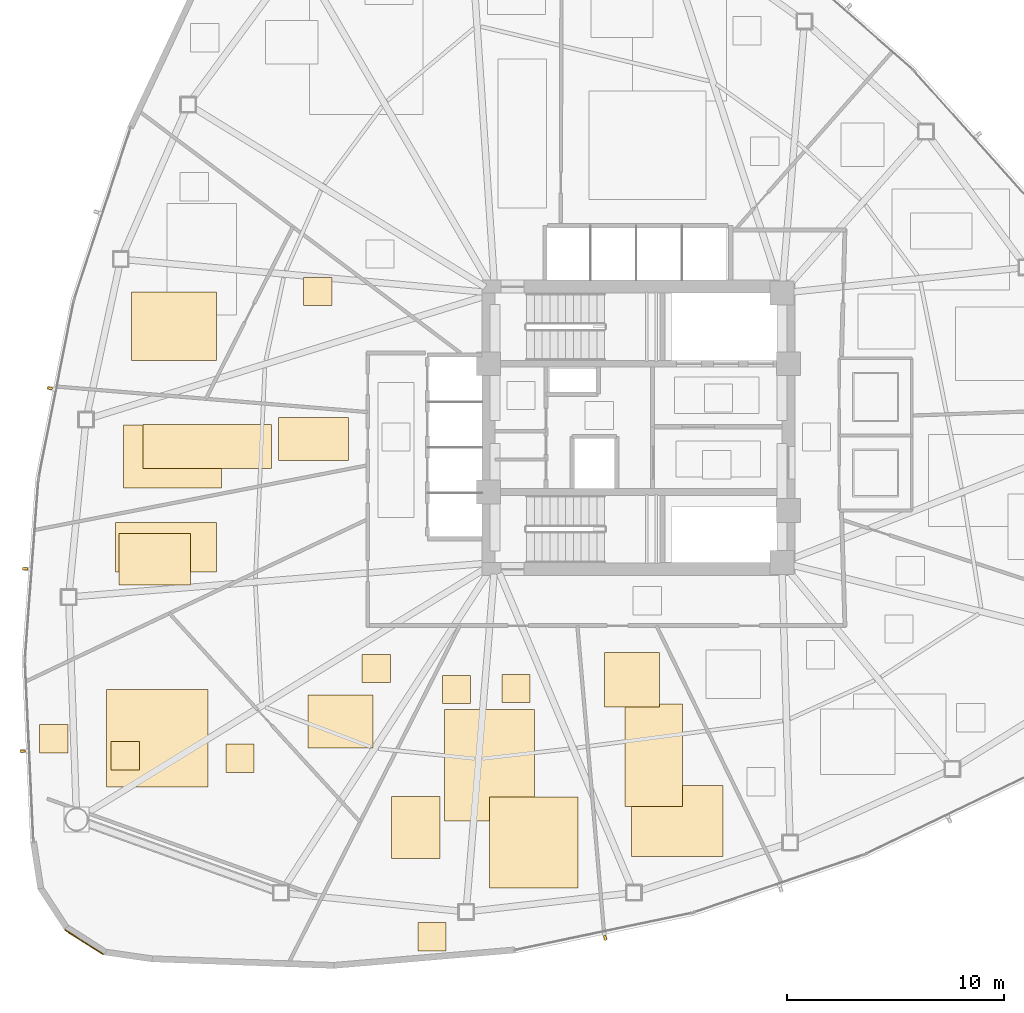
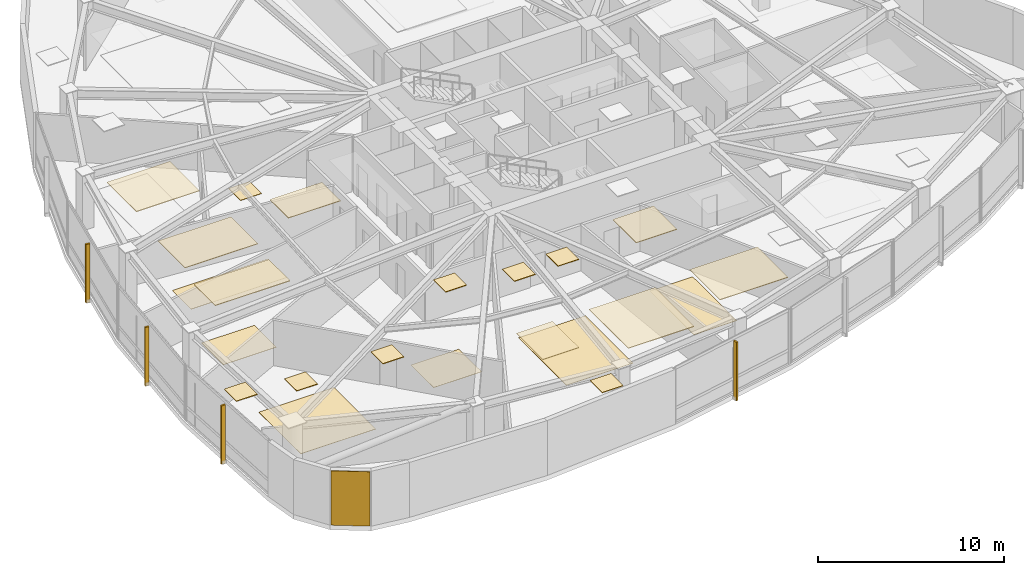
# One storey, part 14 of 17: 23 coverings, 4 shading devices.
"""IFC4 building model written with IfcOpenShell, lengths in metres."""

import ifcopenshell
import ifcopenshell.guid

model = None  # the IFC model being written
_history = None  # IfcOwnerHistory: only IFC2X3 demands one
_inside = {}  # id of a spatial element -> (the spatial element, [elements in it])
_under = {}  # id of a project, library or spatial element -> (it, [spatial elements below it])
_declared = {}  # id of a project -> (the project, [libraries it declares])
_typed = {}  # id of a type object -> (the type object, [elements of that type])
_made_of = {}  # id of a material, layer set ... -> (it, [elements and type objects made of it])


def new_model(schema):
    """Start an empty IFC model of exactly this schema.

    Asked for "IFC4X3", IfcOpenShell would pick the latest addendum, in which some entities
    have other attributes; the version numbers below select the first issue.
    IFC2X3 requires an IfcOwnerHistory on every rooted entity: one is made here for all.
    """
    global model, _history
    if schema == "IFC4X3":
        model = ifcopenshell.file(schema_version=(4, 3, 0, 0))
    else:
        model = ifcopenshell.file(schema=schema)
    _inside.clear()
    _under.clear()
    _declared.clear()
    _typed.clear()
    _made_of.clear()
    _history = None
    if model.schema == "IFC2X3":
        org = make("IfcOrganization", Name="unknown")
        user = make(
            "IfcPersonAndOrganization",
            ThePerson=make("IfcPerson", FamilyName="unknown"),
            TheOrganization=org,
        )
        app = make(
            "IfcApplication",
            ApplicationDeveloper=org,
            Version="unknown",
            ApplicationFullName="unknown",
            ApplicationIdentifier="unknown",
        )
        _history = make(
            "IfcOwnerHistory",
            OwningUser=user,
            OwningApplication=app,
            ChangeAction="ADDED",
            CreationDate=0,
        )
    return model


def make(cls, **values):
    """One entity of the class cls with the attributes given. An attribute that is None is left unset."""
    return model.create_entity(
        cls, **{name: value for name, value in values.items() if value is not None}
    )


def rooted(cls, **values):
    """An entity with a GlobalId (a new one), such as an element, a storey or a relation."""
    return make(cls, GlobalId=ifcopenshell.guid.new(), OwnerHistory=_history, **values)


def si_unit(unit_type, name, prefix=None):
    """IfcSIUnit, for example si_unit("LENGTHUNIT", "METRE", prefix="MILLI")."""
    return make("IfcSIUnit", UnitType=unit_type, Prefix=prefix, Name=name)


def assignment(units):
    """IfcUnitAssignment: the units of a project."""
    return None if units is None else make("IfcUnitAssignment", Units=units)


def point(xyz):
    """IfcCartesianPoint."""
    return None if xyz is None else make("IfcCartesianPoint", Coordinates=xyz)


def direction(xyz):
    """IfcDirection."""
    return None if xyz is None else make("IfcDirection", DirectionRatios=xyz)


def frame(location, z_axis=None, x_axis=None):
    """IfcAxis2Placement3D, a coordinate frame: its origin and axes. An axis left out is left unset."""
    return make(
        "IfcAxis2Placement3D",
        Location=point(location),
        Axis=direction(z_axis),
        RefDirection=direction(x_axis),
    )


def frame_2d(location, x_axis=None):
    """IfcAxis2Placement2D, a coordinate frame in the plane: its origin and x axis."""
    return make(
        "IfcAxis2Placement2D", Location=point(location), RefDirection=direction(x_axis)
    )


def origin():
    """The frame at (0, 0, 0) with its axes left unset."""
    return frame((0.0, 0.0, 0.0))


def origin_2d():
    """The frame at (0, 0) in the plane with its x axis left unset."""
    return frame_2d((0.0, 0.0))


def place(relative_to, where):
    """IfcLocalPlacement: puts the frame where relative to a parent placement (None: the world)."""
    return make(
        "IfcLocalPlacement", PlacementRelTo=relative_to, RelativePlacement=where
    )


def context(
    kind, dimensions, precision=None, world=None, true_north=None, identifier=None
):
    """IfcGeometricRepresentationContext, for example the 3D "Model" context."""
    return make(
        "IfcGeometricRepresentationContext",
        ContextIdentifier=identifier,
        ContextType=kind,
        CoordinateSpaceDimension=dimensions,
        Precision=precision,
        WorldCoordinateSystem=world,
        TrueNorth=true_north,
    )


def subcontext(parent, identifier, kind, view, scale=None):
    """IfcGeometricRepresentationSubContext, for example "Body" below "Model"."""
    return make(
        "IfcGeometricRepresentationSubContext",
        ContextIdentifier=identifier,
        ContextType=kind,
        ParentContext=parent,
        TargetScale=scale,
        TargetView=view,
    )


def project(units=None, contexts=None):
    """IfcProject with its units and contexts."""
    return rooted(
        "IfcProject",
        Name="project",
        RepresentationContexts=contexts,
        UnitsInContext=assignment(units),
    )


def spatial(cls, under=None, at=None, **own):
    """A site, building, storey or space (cls), placed at a placement, below another one or the project."""
    s = rooted(cls, ObjectPlacement=at, **own)
    if under is not None:
        _under.setdefault(under.id(), (under, []))[1].append(s)
    return s


def polyline(points):
    """IfcPolyline through the points."""
    return make("IfcPolyline", Points=[point(p) for p in points])


def profile(cls, at=None, kind="AREA", **sizes):
    """A parametric profile (cls). Its sizes go by their IFC names, for example OverallWidth=200.0."""
    return make(cls, ProfileType=kind, Position=at, **sizes)


def rectangle(**sizes):
    """IfcRectangleProfileDef."""
    return profile("IfcRectangleProfileDef", **sizes)


def outline(outer, holes=None, kind="AREA"):
    """IfcArbitraryClosedProfileDef: a profile drawn as a closed curve; with holes, ...WithVoids."""
    if holes is None:
        return make("IfcArbitraryClosedProfileDef", ProfileType=kind, OuterCurve=outer)
    return make(
        "IfcArbitraryProfileDefWithVoids",
        ProfileType=kind,
        OuterCurve=outer,
        InnerCurves=holes,
    )


def extrude(swept, where, along, depth):
    """IfcExtrudedAreaSolid: the profile swept, set in the frame where, extruded along a direction by depth."""
    return make(
        "IfcExtrudedAreaSolid",
        SweptArea=swept,
        Position=where,
        ExtrudedDirection=direction(along),
        Depth=depth,
    )


def shape(context_of_items, identifier, shape_type, items):
    """IfcShapeRepresentation: the items that make up one representation, for example the "Body"."""
    return make(
        "IfcShapeRepresentation",
        ContextOfItems=context_of_items,
        RepresentationIdentifier=identifier,
        RepresentationType=shape_type,
        Items=items,
    )


def source(mapping_origin, context_of_items, identifier, shape_type, items):
    """IfcRepresentationMap: a shape defined once, which mapped items show again and again."""
    return make(
        "IfcRepresentationMap",
        MappingOrigin=mapping_origin,
        MappedRepresentation=shape(context_of_items, identifier, shape_type, items),
    )


def transform(
    local_origin,
    x_axis=None,
    y_axis=None,
    z_axis=None,
    scale=None,
    scale2=None,
    scale3=None,
    uniform=True,
):
    """IfcCartesianTransformationOperator3D, or its non-uniform kind. x_axis, y_axis, z_axis: its Axis1, 2, 3."""
    if uniform:
        return make(
            "IfcCartesianTransformationOperator3D",
            Axis1=direction(x_axis),
            Axis2=direction(y_axis),
            LocalOrigin=point(local_origin),
            Scale=scale,
            Axis3=direction(z_axis),
        )
    return make(
        "IfcCartesianTransformationOperator3DnonUniform",
        Axis1=direction(x_axis),
        Axis2=direction(y_axis),
        LocalOrigin=point(local_origin),
        Scale=scale,
        Axis3=direction(z_axis),
        Scale2=scale2,
        Scale3=scale3,
    )


def mapped(mapping_source, mapping_target):
    """IfcMappedItem: shows the shape of a source again, moved by a transform."""
    return make(
        "IfcMappedItem", MappingSource=mapping_source, MappingTarget=mapping_target
    )


def material(Name=None, Category=None):
    """IfcMaterial."""
    return make("IfcMaterial", Name=Name, Category=Category)


def layer(
    of_material, thickness, ventilated=None, Name=None, Category=None, Priority=None
):
    """IfcMaterialLayer: one layer of a wall or slab, of a material (None: an air gap)."""
    return make(
        "IfcMaterialLayer",
        Material=of_material,
        LayerThickness=thickness,
        IsVentilated=ventilated,
        Name=Name,
        Category=Category,
        Priority=Priority,
    )


def layer_set(layers, Name=None):
    """IfcMaterialLayerSet."""
    return make("IfcMaterialLayerSet", MaterialLayers=layers, LayerSetName=Name)


def made_of(thing, what):
    """Note that an element or type object is made of a material, layer set ...; save() writes the relation."""
    if what is not None:
        _made_of.setdefault(what.id(), (what, []))[1].append(thing)
    return thing


def type_object(cls, material=None, **own):
    """A type object (cls), such as IfcWallType, which elements share."""
    return made_of(rooted(cls, **own), material)


def type_shapes(of_type, sources):
    """Give a type object the sources (RepresentationMaps) that its elements show as mapped items."""
    of_type.RepresentationMaps = sources


def element(
    cls,
    number,
    at=None,
    inside=None,
    cuts=None,
    type_object=None,
    material=None,
    context=None,
    identifier="Body",
    shape_type=None,
    held_by="IfcProductDefinitionShape",
    body=None,
    shapes=None,
    **own,
):
    """One element of the class cls, such as IfcWall. Its Tag is "e" and its number.

    at: its placement. inside: the storey or other place that contains it. cuts: it is an
    opening in that element (IfcRelVoidsElement). A single representation is given by context,
    identifier, shape_type and body (its items); several are given by shapes. held_by: the class
    of the entity that holds the representations. save() writes the other relations.
    """
    e = rooted(cls, Tag="e%d" % number, ObjectPlacement=at, **own)
    if body is not None:
        shapes = [shape(context, identifier, shape_type, body)]
    if shapes is not None:
        e.Representation = make(held_by, Representations=shapes)
    if inside is not None:
        _inside.setdefault(inside.id(), (inside, []))[1].append(e)
    if cuts is not None:
        rooted(
            "IfcRelVoidsElement", RelatingBuildingElement=cuts, RelatedOpeningElement=e
        )
    if type_object is not None:
        _typed.setdefault(type_object.id(), (type_object, []))[1].append(e)
    return made_of(e, material)


def aggregate(whole, parts):
    """IfcRelAggregates: a whole, such as a stair, and the parts it consists of."""
    return rooted("IfcRelAggregates", RelatingObject=whole, RelatedObjects=parts)


def save(model, path):
    """Write the relations noted so far, then the file.

    IfcRelAggregates (storeys below a building ...), IfcRelContainedInSpatialStructure (elements
    in a storey), IfcRelDefinesByType, IfcRelAssociatesMaterial and IfcRelDeclares: one each for
    every whole, place, type object, material and project.
    """
    for whole, parts in _under.values():
        aggregate(whole, parts)
    for where, things in _inside.values():
        rooted(
            "IfcRelContainedInSpatialStructure",
            RelatedElements=things,
            RelatingStructure=where,
        )
    for kind, things in _typed.values():
        rooted("IfcRelDefinesByType", RelatedObjects=things, RelatingType=kind)
    for what, things in _made_of.values():
        rooted("IfcRelAssociatesMaterial", RelatedObjects=things, RelatingMaterial=what)
    for by, libraries in _declared.values():
        rooted("IfcRelDeclares", RelatingContext=by, RelatedDefinitions=libraries)
    model.write(path)


model = new_model("IFC4")

# Units and contexts
model_context = context("Model", 3, precision=1e-05, world=origin(), true_north=direction((0.0, 1.0)))
body_context = subcontext(model_context, "Body", "Model", "MODEL_VIEW")
ifc_project = project(units=[si_unit("LENGTHUNIT", "METRE"), si_unit("AREAUNIT", "SQUARE_METRE"), si_unit("VOLUMEUNIT", "CUBIC_METRE"), si_unit("PLANEANGLEUNIT", "RADIAN"), si_unit("MASSUNIT", "GRAM", prefix="KILO")], contexts=[model_context])

# Site, building, storey
site_placement = place(None, origin())
site = spatial("IfcSite", under=ifc_project, at=site_placement, CompositionType="ELEMENT")
building_placement = place(site_placement, origin())
building = spatial("IfcBuilding", under=site, at=building_placement, Name="Tavelor Broadcast Tower", CompositionType="ELEMENT")
storey_placement = place(building_placement, frame((0.0, 0.0, 90.0)))
storey = spatial("IfcBuildingStorey", under=building, at=storey_placement, Name="L21", CompositionType="ELEMENT", Elevation=90.0)

# Coverings
ifc_material_1 = material(Name="Copper-Bronze Anodized Aluminium", Category="aluminium")
ifc_layer_1 = layer(ifc_material_1, 0.050048828125)
ifc_layer_set_1 = layer_set([ifc_layer_1], Name="Copper-Bronze Anodized Aluminium")
covering_type_1 = type_object("IfcCoveringType", Name="Champagne-Bronze Corner Pier Metal Cladding 50 mm", PredefinedType="CLADDING", material=ifc_layer_set_1)
covering_1_placement = place(storey_placement, frame((24.502685546875, 21.34228515625, 0.02001953125), z_axis=(0.0, 0.0, 1.0), x_axis=(0.842922242371, -0.538035401546, 0.0)))
element("IfcCovering", 1, at=covering_1_placement, inside=storey, type_object=covering_type_1, Name="L21 Champagne-Bronze Corner Cladding 13", PredefinedType="CLADDING", context=body_context, shape_type="SweptSolid", body=[
    extrude(rectangle(XDim=2.101806640625, YDim=0.050048828125, at=origin_2d()), origin(), (0.0, 0.0, 1.0), 3.56005859375),
])
ifc_material_2 = material(Name="Acoustic Nylon Carpet Tile")
ifc_layer_2 = layer(ifc_material_2, 0.02001953125)
ifc_layer_set_2 = layer_set([ifc_layer_2], Name="Acoustic Nylon Carpet Tile")
covering_type_2 = type_object("IfcCoveringType", Name="Heavy-Duty Acoustic Broadcast Carpet Tile 20 mm", PredefinedType="FLOORING", material=ifc_layer_set_2)
covering_2_placement = place(storey_placement, origin())
element("IfcCovering", 2, at=covering_2_placement, inside=storey, type_object=covering_type_2, Name="L21 Broadcast Floor Finish 0312", PredefinedType="FLOORING", context=body_context, shape_type="SweptSolid", body=[
    extrude(outline(polyline([(49.372802734375, 27.57666015625), (52.030517578125, 27.57666015625), (52.030517578125, 32.306884765625), (49.372802734375, 32.306884765625), (49.372802734375, 27.57666015625)])), origin(), (0.0, 0.0, 1.0), 0.02001953125),
])
covering_3_placement = place(storey_placement, origin())
element("IfcCovering", 3, at=covering_3_placement, inside=storey, type_object=covering_type_2, Name="L21 Broadcast Floor Finish 0313", PredefinedType="FLOORING", context=body_context, shape_type="SweptSolid", body=[
    extrude(outline(polyline([(41.089599609375, 26.91064453125), (45.22265625, 26.91064453125), (45.22265625, 32.034912109375), (41.089599609375, 32.034912109375), (41.089599609375, 26.91064453125)])), origin(), (0.0, 0.0, 1.0), 0.02001953125),
])
covering_4_placement = place(storey_placement, origin())
element("IfcCovering", 4, at=covering_4_placement, inside=storey, type_object=covering_type_2, Name="L21 Broadcast Floor Finish 0314", PredefinedType="FLOORING", context=body_context, shape_type="SweptSolid", body=[
    extrude(outline(polyline([(25.541015625, 28.477783203125), (30.191650390625, 28.477783203125), (30.191650390625, 32.976318359375), (25.541015625, 32.976318359375), (25.541015625, 28.477783203125)])), origin(), (0.0, 0.0, 1.0), 0.02001953125),
])
covering_5_placement = place(storey_placement, origin())
element("IfcCovering", 5, at=covering_5_placement, inside=storey, type_object=covering_type_2, Name="L21 Broadcast Floor Finish 0315", PredefinedType="FLOORING", context=body_context, shape_type="SweptSolid", body=[
    extrude(outline(polyline([(26.111328125, 37.77197265625), (29.38916015625, 37.77197265625), (29.38916015625, 40.135498046875), (26.111328125, 40.135498046875), (26.111328125, 37.77197265625)])), origin(), (0.0, 0.0, 1.0), 0.02001953125),
])
covering_6_placement = place(storey_placement, origin())
element("IfcCovering", 6, at=covering_6_placement, inside=storey, type_object=covering_type_2, Name="L21 Broadcast Floor Finish 0316", PredefinedType="FLOORING", context=body_context, shape_type="SweptSolid", body=[
    extrude(outline(polyline([(27.20751953125, 43.130859375), (33.132080078125, 43.130859375), (33.132080078125, 45.156982421875), (27.20751953125, 45.156982421875), (27.20751953125, 43.130859375)])), origin(), (0.0, 0.0, 1.0), 0.02001953125),
])
covering_7_placement = place(storey_placement, origin())
element("IfcCovering", 7, at=covering_7_placement, inside=storey, type_object=covering_type_2, Name="L21 Broadcast Floor Finish 0322", PredefinedType="FLOORING", context=body_context, shape_type="SweptSolid", body=[
    extrude(outline(polyline([(34.597412109375, 50.62109375), (35.8974609375, 50.62109375), (35.8974609375, 51.921142578125), (34.597412109375, 51.921142578125), (34.597412109375, 50.62109375)])), origin(), (0.0, 0.0, 1.0), 0.02001953125),
])
covering_8_placement = place(storey_placement, origin())
element("IfcCovering", 8, at=covering_8_placement, inside=storey, type_object=covering_type_2, Name="L21 Broadcast Floor Finish 0323", PredefinedType="FLOORING", context=body_context, shape_type="SweptSolid", body=[
    extrude(outline(polyline([(34.80712890625, 30.277099609375), (37.78564453125, 30.277099609375), (37.78564453125, 32.72119140625), (34.80712890625, 32.72119140625), (34.80712890625, 30.277099609375)])), origin(), (0.0, 0.0, 1.0), 0.02001953125),
])
ifc_material_3 = material(Name="Acoustic Mineral Fibre Tile")
ifc_layer_3 = layer(ifc_material_3, 0.0400390625)
ifc_layer_set_3 = layer_set([ifc_layer_3], Name="Acoustic Mineral Fibre Tile")
covering_type_3 = type_object("IfcCoveringType", Name="Suspended Acoustic Mineral-Fibre Office Ceiling 40 mm", PredefinedType="CEILING", material=ifc_layer_set_3)
covering_9_placement = place(storey_placement, frame((0.0, 0.0, 3.56005859375)))
element("IfcCovering", 9, at=covering_9_placement, inside=storey, type_object=covering_type_3, Name="L21 Suspended Acoustic Ceiling 0890", PredefinedType="CEILING", context=body_context, shape_type="SweptSolid", body=[
    extrude(outline(polyline([(48.44482421875, 32.15869140625), (50.975830078125, 32.15869140625), (50.975830078125, 34.66748046875), (48.44482421875, 34.66748046875), (48.44482421875, 32.15869140625)])), origin(), (0.0, 0.0, 1.0), 0.0400390625),
])
covering_10_placement = place(storey_placement, frame((0.0, 0.0, 3.56005859375)))
element("IfcCovering", 10, at=covering_10_placement, inside=storey, type_object=covering_type_3, Name="L21 Suspended Acoustic Ceiling 0891", PredefinedType="CEILING", context=body_context, shape_type="SweptSolid", body=[
    extrude(outline(polyline([(49.673583984375, 25.293701171875), (53.88427734375, 25.293701171875), (53.88427734375, 28.553466796875), (49.673583984375, 28.553466796875), (49.673583984375, 25.293701171875)])), origin(), (0.0, 0.0, 1.0), 0.0400390625),
])
covering_11_placement = place(storey_placement, frame((0.0, 0.0, 3.56005859375)))
element("IfcCovering", 11, at=covering_11_placement, inside=storey, type_object=covering_type_3, Name="L21 Suspended Acoustic Ceiling 0892", PredefinedType="CEILING", context=body_context, shape_type="SweptSolid", body=[
    extrude(outline(polyline([(39.85400390625, 20.93701171875), (41.154052734375, 20.93701171875), (41.154052734375, 22.237060546875), (39.85400390625, 22.237060546875), (39.85400390625, 20.93701171875)])), origin(), (0.0, 0.0, 1.0), 0.0400390625),
])
covering_12_placement = place(storey_placement, frame((0.0, 0.0, 3.56005859375)))
element("IfcCovering", 12, at=covering_12_placement, inside=storey, type_object=covering_type_3, Name="L21 Suspended Acoustic Ceiling 0893", PredefinedType="CEILING", context=body_context, shape_type="SweptSolid", body=[
    extrude(outline(polyline([(38.637451171875, 25.200927734375), (40.88232421875, 25.200927734375), (40.88232421875, 28.0341796875), (38.637451171875, 28.0341796875), (38.637451171875, 25.200927734375)])), origin(), (0.0, 0.0, 1.0), 0.0400390625),
])
covering_13_placement = place(storey_placement, frame((0.0, 0.0, 3.56005859375)))
element("IfcCovering", 13, at=covering_13_placement, inside=storey, type_object=covering_type_3, Name="L21 Suspended Acoustic Ceiling 0894", PredefinedType="CEILING", context=body_context, shape_type="SweptSolid", body=[
    extrude(outline(polyline([(40.981201171875, 32.310302734375), (42.28125, 32.310302734375), (42.28125, 33.6103515625), (40.981201171875, 33.6103515625), (40.981201171875, 32.310302734375)])), origin(), (0.0, 0.0, 1.0), 0.0400390625),
])
covering_14_placement = place(storey_placement, frame((0.0, 0.0, 3.56005859375)))
element("IfcCovering", 14, at=covering_14_placement, inside=storey, type_object=covering_type_3, Name="L21 Suspended Acoustic Ceiling 0895", PredefinedType="CEILING", context=body_context, shape_type="SweptSolid", body=[
    extrude(outline(polyline([(43.7197265625, 32.3623046875), (45.019775390625, 32.3623046875), (45.019775390625, 33.662353515625), (43.7197265625, 33.662353515625), (43.7197265625, 32.3623046875)])), origin(), (0.0, 0.0, 1.0), 0.0400390625),
])
covering_15_placement = place(storey_placement, frame((0.0, 0.0, 3.56005859375)))
element("IfcCovering", 15, at=covering_15_placement, inside=storey, type_object=covering_type_3, Name="L21 Suspended Acoustic Ceiling 0896", PredefinedType="CEILING", context=body_context, shape_type="SweptSolid", body=[
    extrude(outline(polyline([(43.1416015625, 23.830078125), (47.225830078125, 23.830078125), (47.225830078125, 28.02392578125), (43.1416015625, 28.02392578125), (43.1416015625, 23.830078125)])), origin(), (0.0, 0.0, 1.0), 0.0400390625),
])
covering_16_placement = place(storey_placement, frame((0.0, 0.0, 3.56005859375)))
element("IfcCovering", 16, at=covering_16_placement, inside=storey, type_object=covering_type_3, Name="L21 Suspended Acoustic Ceiling 0897", PredefinedType="CEILING", context=body_context, shape_type="SweptSolid", body=[
    extrude(outline(polyline([(31.021240234375, 29.15087890625), (32.3212890625, 29.15087890625), (32.3212890625, 30.450927734375), (31.021240234375, 30.450927734375), (31.021240234375, 29.15087890625)])), origin(), (0.0, 0.0, 1.0), 0.0400390625),
])
covering_17_placement = place(storey_placement, frame((0.0, 0.0, 3.56005859375)))
element("IfcCovering", 17, at=covering_17_placement, inside=storey, type_object=covering_type_3, Name="L21 Suspended Acoustic Ceiling 0898", PredefinedType="CEILING", context=body_context, shape_type="SweptSolid", body=[
    extrude(outline(polyline([(25.744140625, 29.264892578125), (27.044189453125, 29.264892578125), (27.044189453125, 30.56494140625), (25.744140625, 30.56494140625), (25.744140625, 29.264892578125)])), origin(), (0.0, 0.0, 1.0), 0.0400390625),
])
covering_18_placement = place(storey_placement, frame((0.0, 0.0, 3.56005859375)))
element("IfcCovering", 18, at=covering_18_placement, inside=storey, type_object=covering_type_3, Name="L21 Suspended Acoustic Ceiling 0899", PredefinedType="CEILING", context=body_context, shape_type="SweptSolid", body=[
    extrude(outline(polyline([(22.462158203125, 30.05029296875), (23.76220703125, 30.05029296875), (23.76220703125, 31.350341796875), (22.462158203125, 31.350341796875), (22.462158203125, 30.05029296875)])), origin(), (0.0, 0.0, 1.0), 0.0400390625),
])
covering_19_placement = place(storey_placement, frame((0.0, 0.0, 3.56005859375)))
element("IfcCovering", 19, at=covering_19_placement, inside=storey, type_object=covering_type_3, Name="L21 Suspended Acoustic Ceiling 0900", PredefinedType="CEILING", context=body_context, shape_type="SweptSolid", body=[
    extrude(outline(polyline([(25.942138671875, 38.368408203125), (30.590087890625, 38.368408203125), (30.590087890625, 40.650390625), (25.942138671875, 40.650390625), (25.942138671875, 38.368408203125)])), origin(), (0.0, 0.0, 1.0), 0.0400390625),
])
covering_20_placement = place(storey_placement, frame((0.0, 0.0, 3.56005859375)))
element("IfcCovering", 20, at=covering_20_placement, inside=storey, type_object=covering_type_3, Name="L21 Suspended Acoustic Ceiling 0901", PredefinedType="CEILING", context=body_context, shape_type="SweptSolid", body=[
    extrude(outline(polyline([(33.444091796875, 43.49658203125), (36.6748046875, 43.49658203125), (36.6748046875, 45.485107421875), (33.444091796875, 45.485107421875), (33.444091796875, 43.49658203125)])), origin(), (0.0, 0.0, 1.0), 0.0400390625),
])
covering_21_placement = place(storey_placement, frame((0.0, 0.0, 3.56005859375)))
element("IfcCovering", 21, at=covering_21_placement, inside=storey, type_object=covering_type_3, Name="L21 Suspended Acoustic Ceiling 0902", PredefinedType="CEILING", context=body_context, shape_type="SweptSolid", body=[
    extrude(outline(polyline([(26.3076171875, 42.232177734375), (30.81689453125, 42.232177734375), (30.81689453125, 45.1240234375), (26.3076171875, 45.1240234375), (26.3076171875, 42.232177734375)])), origin(), (0.0, 0.0, 1.0), 0.0400390625),
])
covering_22_placement = place(storey_placement, frame((0.0, 0.0, 3.56005859375)))
element("IfcCovering", 22, at=covering_22_placement, inside=storey, type_object=covering_type_3, Name="L21 Suspended Acoustic Ceiling 0904", PredefinedType="CEILING", context=body_context, shape_type="SweptSolid", body=[
    extrude(outline(polyline([(26.683349609375, 48.093505859375), (30.58203125, 48.093505859375), (30.58203125, 51.25537109375), (26.683349609375, 51.25537109375), (26.683349609375, 48.093505859375)])), origin(), (0.0, 0.0, 1.0), 0.0400390625),
])
covering_23_placement = place(storey_placement, frame((0.0, 0.0, 3.56005859375)))
element("IfcCovering", 23, at=covering_23_placement, inside=storey, type_object=covering_type_3, Name="L21 Suspended Acoustic Ceiling 0920", PredefinedType="CEILING", context=body_context, shape_type="SweptSolid", body=[
    extrude(outline(polyline([(37.284912109375, 33.284912109375), (38.5849609375, 33.284912109375), (38.5849609375, 34.5849609375), (37.284912109375, 34.5849609375), (37.284912109375, 33.284912109375)])), origin(), (0.0, 0.0, 1.0), 0.0400390625),
])

# Shading devices
ifc_material_4 = material(Name="Kiln-Fired Glazed Terracotta", Category="masonry")
shading_device_type = type_object("IfcShadingDeviceType", Name="Extruded Terracotta Baguette Sun-Screen 110x240", PredefinedType="JALOUSIE", material=ifc_material_4)
shared_shape = source(origin(), body_context, "Body", "SweptSolid", [
    extrude(rectangle(XDim=0.110107421875, YDim=0.239990234375, at=origin_2d()), origin(), (0.0, 0.0, 1.0), 3.840087890625),
])
type_shapes(shading_device_type, [shared_shape])
for number, where, z_axis, x_axis, name in (
    (24, (22.924072265625, 46.824462890625, -0.26025390625), (0.0, 0.0, 1.0), (-0.194576757325, -0.980887295008, 0.0), "L21 Terracotta Baguette Fin 206"),
    (25, (21.79345703125, 38.51611328125, -0.26025390625), (0.0, 0.0, 1.0), (-0.074456591657, -0.997224255601, 0.0), "L21 Terracotta Baguette Fin 207"),
    (26, (21.676513671875, 30.132080078125, -0.26025390625), (0.0, 0.0, 1.0), (0.046757769503, -0.998906257359, 0.0), "L21 Terracotta Baguette Fin 208"),
    (27, (48.47021484375, 21.54443359375, -0.26025390625), (0.0, 0.0, 1.0), (0.978795946539, 0.204837728554, 0.0), "L21 Terracotta Baguette Fin 209"),
):
    element("IfcShadingDevice", number, at=place(storey_placement, frame(where, z_axis=z_axis, x_axis=x_axis)), inside=storey, type_object=shading_device_type, Name=name, PredefinedType="JALOUSIE", context=body_context, shape_type="MappedRepresentation", body=[
        mapped(shared_shape, transform((0.0, 0.0, 0.0), scale=1.0)),
    ])

save(model, "model.ifc")
